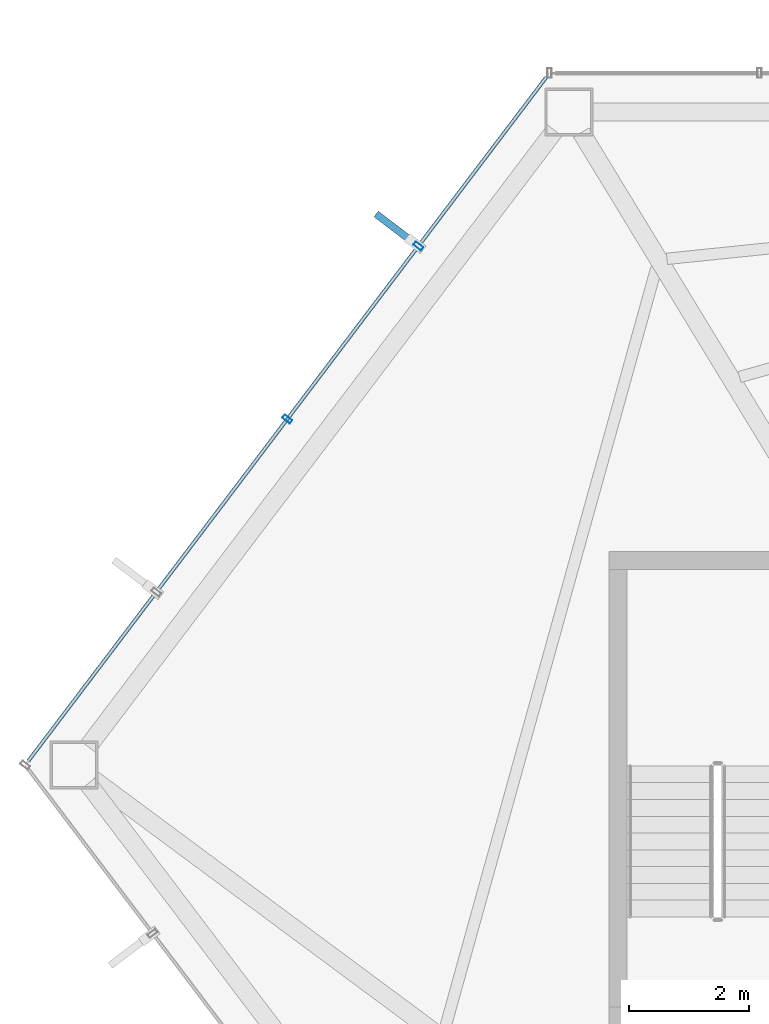
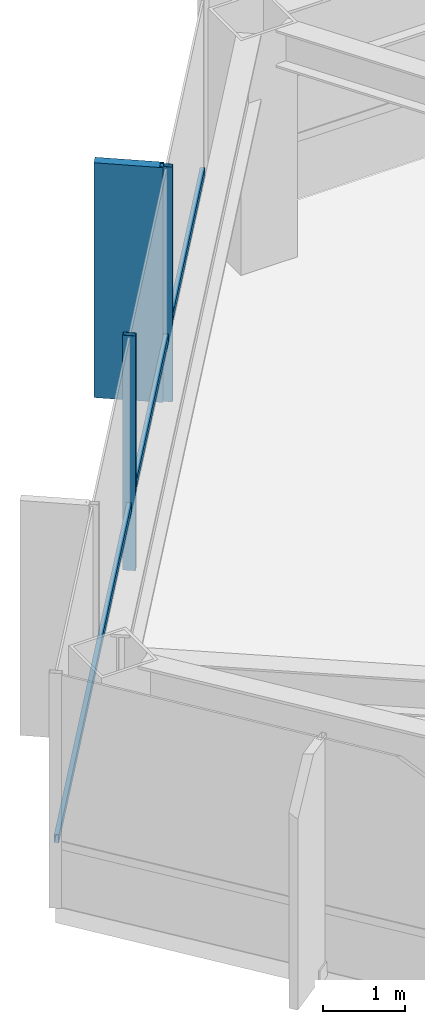
# One storey, part 12 of 28: 4 members, 1 element without a shape of its own.
"""IFC4 building model written with IfcOpenShell, lengths in metres."""

from ifc_helpers import new_model, si_unit, direction, frame, origin, origin_2d, place, context, subcontext, project, spatial, rectangle, hollow_rectangle, extrude, material, layer, layer_set, material_profile, profile_set, type_object, element, aggregate, save


model = new_model("IFC4")

# Units and contexts
model_context = context("Model", 3, precision=1e-05, world=origin(), true_north=direction((0.0, 1.0)))
body_context = subcontext(model_context, "Body", "Model", "MODEL_VIEW")
ifc_project = project(units=[si_unit("LENGTHUNIT", "METRE"), si_unit("AREAUNIT", "SQUARE_METRE"), si_unit("VOLUMEUNIT", "CUBIC_METRE"), si_unit("PLANEANGLEUNIT", "RADIAN"), si_unit("MASSUNIT", "GRAM", prefix="KILO")], contexts=[model_context])

# Site, building, storey
site_placement = place(None, origin())
site = spatial("IfcSite", under=ifc_project, at=site_placement, CompositionType="ELEMENT")
building_placement = place(site_placement, origin())
building = spatial("IfcBuilding", under=site, at=building_placement, Name="Zarrinselat Tower", CompositionType="ELEMENT")
storey_placement = place(building_placement, frame((0.0, 0.0, 149.60009765625)))
storey = spatial("IfcBuildingStorey", under=building, at=storey_placement, Name="L36", CompositionType="ELEMENT", Elevation=149.60009765625)

# Curtain wall, members
ifc_material_1 = material(Name="Extruded Aluminium Alloy EN AW-6063 T6", Category="aluminium")
ifc_layer = layer(ifc_material_1, 0.175048828125)
ifc_layer_set = layer_set([ifc_layer], Name="Extruded Aluminium Alloy EN AW-6063 T6")
curtain_wall_type = type_object("IfcCurtainWallType", Name="CWS-HTL", PredefinedType="NOTDEFINED", material=ifc_layer_set)
curtain_wall_placement = place(storey_placement, origin())
curtain_wall = element("IfcCurtainWall", 1, at=curtain_wall_placement, inside=storey, type_object=curtain_wall_type, Name="L36 Unitised Curtain Wall CW-L36-E02", PredefinedType="NOTDEFINED")
ifc_material_2 = material(Name="Extruded Aluminium Alloy EN AW-6063 T6", Category="aluminium")
ifc_material_profile_1 = material_profile(ifc_material_2, hollow_rectangle(XDim=0.070068359375, YDim=0.159912109375, WallThickness=0.00390625, at=origin_2d()), Name="RHS 160x70x4")
ifc_profile_set_1 = profile_set([ifc_material_profile_1], Name="Extruded Aluminium Alloy EN AW-6063 T6")
member_type_1 = type_object("IfcMemberType", Name="MEM-CW-MUL2", PredefinedType="MULLION", material=ifc_profile_set_1)
member_1_placement = place(storey_placement, frame((21.894287109375, 46.145751953125, 0.0), z_axis=(0.0, 0.0, 1.0), x_axis=(-0.603857687995, -0.797092148154, 0.0)))
member_1 = element("IfcMember", 2, at=member_1_placement, type_object=member_type_1, Name="CW-L36-E02 Mullion 1", PredefinedType="MULLION", context=body_context, shape_type="SweptSolid", body=[
    extrude(hollow_rectangle(XDim=0.070068359375, YDim=0.159912109375, WallThickness=0.00390625, at=origin_2d()), origin(), (0.0, 0.0, 1.0), 3.5),
])
member_2_placement = place(storey_placement, frame((19.706787109375, 43.25830078125, 0.0), z_axis=(0.0, 0.0, 1.0), x_axis=(-0.603857687995, -0.797092148154, 0.0)))
member_2 = element("IfcMember", 3, at=member_2_placement, type_object=member_type_1, Name="CW-L36-E02 Mullion 2", PredefinedType="MULLION", context=body_context, shape_type="SweptSolid", body=[
    extrude(hollow_rectangle(XDim=0.070068359375, YDim=0.159912109375, WallThickness=0.00390625, at=origin_2d()), origin(), (0.0, 0.0, 1.0), 3.5),
])
ifc_material_3 = material(Name="Extruded Aluminium Alloy EN AW-6063 T6", Category="aluminium")
ifc_material_profile_2 = material_profile(ifc_material_3, hollow_rectangle(XDim=0.06005859375, YDim=0.1201171875, WallThickness=0.00390625, at=origin_2d()), Name="RHS 120x60x4")
ifc_profile_set_2 = profile_set([ifc_material_profile_2], Name="Extruded Aluminium Alloy EN AW-6063 T6")
member_type_2 = type_object("IfcMemberType", Name="MEM-CW-TRN2", PredefinedType="USERDEFINED", material=ifc_profile_set_2)
member_3_placement = place(storey_placement, frame((24.027587890625, 48.961669921875, 0.949951171875), z_axis=(-0.603863600331, -0.797087669077, 0.0), x_axis=(0.797087669077, -0.603863600331, 0.0)))
member_3 = element("IfcMember", 4, at=member_3_placement, type_object=member_type_2, Name="CW-L36-E02 Transom 1", ObjectType="TRANSOM", PredefinedType="USERDEFINED", context=body_context, shape_type="SweptSolid", body=[
    extrude(hollow_rectangle(XDim=0.06005859375, YDim=0.1201171875, WallThickness=0.00390625, at=origin_2d()), origin(), (0.0, 0.0, 1.0), 14.310546875),
])
ifc_material_4 = material(Name="Honed Cream Travertine Stone", Category="masonry")
ifc_material_profile_3 = material_profile(ifc_material_4, rectangle(XDim=0.1201171875, YDim=0.85009765625, at=origin_2d()), Name="FIN 850x120")
ifc_profile_set_3 = profile_set([ifc_material_profile_3], Name="Honed Cream Travertine Stone")
member_type_3 = type_object("IfcMemberType", Name="MEM-STONE-FIN", PredefinedType="USERDEFINED", material=ifc_profile_set_3)
member_4_placement = place(storey_placement, frame((21.527587890625, 46.423583984375, 0.0), z_axis=(0.0, 0.0, 1.0), x_axis=(0.603857687995, 0.797092148154, 0.0)))
member_4 = element("IfcMember", 5, at=member_4_placement, type_object=member_type_3, Name="L36 Stone Shading Fin CW-L36-E02-01", ObjectType="FIN", PredefinedType="USERDEFINED", context=body_context, shape_type="SweptSolid", body=[
    extrude(rectangle(XDim=0.1201171875, YDim=0.85009765625, at=origin_2d()), origin(), (0.0, 0.0, 1.0), 3.5),
])
aggregate(curtain_wall, [member_1, member_4, member_2, member_3])

save(model, "model.ifc")
